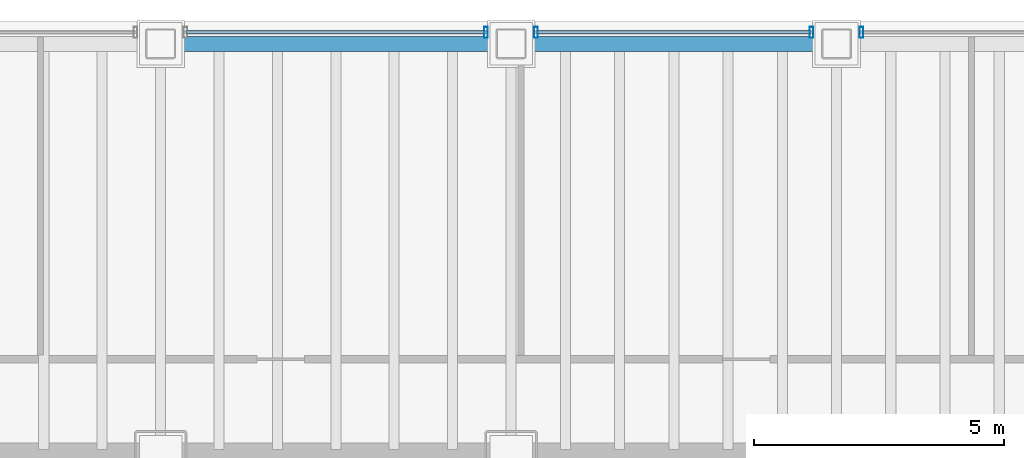
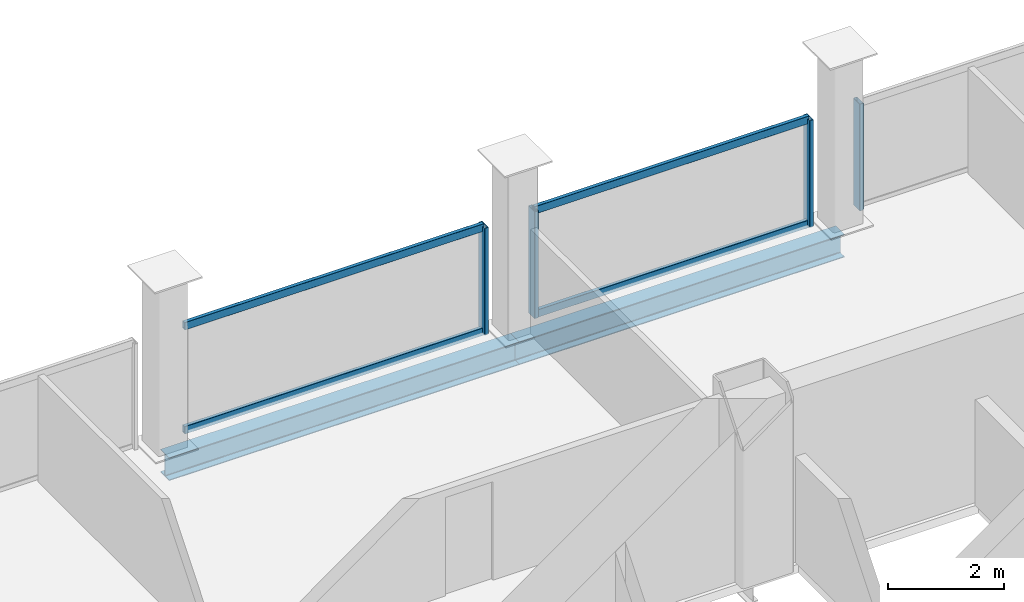
# One storey, part 14 of 21: 8 members, 2 beams, 3 elements without a shape of their own.
"""IFC4 building model written with IfcOpenShell, lengths in metres."""

from ifc_helpers import new_model, si_unit, direction, frame, origin, origin_2d, place, context, subcontext, project, spatial, hollow_rectangle, i_section, extrude, material, material_profile, profile_set, type_object, element, aggregate, save


model = new_model("IFC4")

# Units and contexts
model_context = context("Model", 3, precision=1e-05, world=origin(), true_north=direction((0.0, 1.0)))
body_context = subcontext(model_context, "Body", "Model", "MODEL_VIEW")
ifc_project = project(units=[si_unit("LENGTHUNIT", "METRE"), si_unit("AREAUNIT", "SQUARE_METRE"), si_unit("VOLUMEUNIT", "CUBIC_METRE"), si_unit("PLANEANGLEUNIT", "RADIAN"), si_unit("MASSUNIT", "GRAM", prefix="KILO")], contexts=[model_context])

# Site, building, storey
site_placement = place(None, origin())
site = spatial("IfcSite", under=ifc_project, at=site_placement, CompositionType="ELEMENT")
building_placement = place(site_placement, origin())
building = spatial("IfcBuilding", under=site, at=building_placement, Name="Noeulbin Bourse Tower", CompositionType="ELEMENT")
storey_placement = place(building_placement, frame((0.0, 0.0, 77.199951171875)))
storey = spatial("IfcBuildingStorey", under=building, at=storey_placement, Name="L19", CompositionType="ELEMENT", Elevation=77.199951171875)

# Beams
ifc_material_1 = material(Name="Steel S355", Category="steel")
ifc_material_profile_1 = material_profile(ifc_material_1, i_section(OverallWidth=0.300048828125, OverallDepth=0.488037109375, WebThickness=0.010986328125, FlangeThickness=0.01806640625, FilletRadius=0.02197265625, at=origin_2d()), Name="H-488x300x11x18", Category="LoadBearing")
ifc_profile_set_1 = profile_set([ifc_material_profile_1], Name="Steel S355")
beam_type = type_object("IfcBeamType", Name="BM-SPN-488", PredefinedType="SPANDREL", material=ifc_profile_set_1)
beam_1_placement = place(storey_placement, frame((24.0, 46.550048828125, -0.424072265625), z_axis=(1.0, 0.0, 0.0), x_axis=(0.0, 1.0, 0.0)))
element("IfcBeam", 1, at=beam_1_placement, inside=storey, type_object=beam_type, Name="North Spandrel L19-2", PredefinedType="SPANDREL", context=body_context, shape_type="SweptSolid", body=[
    extrude(i_section(OverallWidth=0.300048828125, OverallDepth=0.488037109375, WebThickness=0.010986328125, FlangeThickness=0.01806640625, FilletRadius=0.02197265625, at=origin_2d()), origin(), (0.0, 0.0, 1.0), 7.0),
])
beam_2_placement = place(storey_placement, frame((31.0, 46.550048828125, -0.424072265625), z_axis=(1.0, 0.0, 0.0), x_axis=(0.0, 1.0, 0.0)))
element("IfcBeam", 2, at=beam_2_placement, inside=storey, type_object=beam_type, Name="North Spandrel L19-3", PredefinedType="SPANDREL", context=body_context, shape_type="SweptSolid", body=[
    extrude(i_section(OverallWidth=0.300048828125, OverallDepth=0.488037109375, WebThickness=0.010986328125, FlangeThickness=0.01806640625, FilletRadius=0.02197265625, at=origin_2d()), origin(), (0.0, 0.0, 1.0), 6.5),
])

# Curtain wall, member
ifc_material_2 = material(Name="Dark Solar-Control Double Glazing", Category="glass")
curtain_wall_type = type_object("IfcCurtainWallType", Name="CW-SYS-2", PredefinedType="NOTDEFINED", material=ifc_material_2)
curtain_wall_1_placement = place(storey_placement, origin())
curtain_wall_1 = element("IfcCurtainWall", 3, at=curtain_wall_1_placement, inside=storey, type_object=curtain_wall_type, Name="Unitised Curtain Wall CW-L19-N-S3", PredefinedType="NOTDEFINED")
ifc_material_3 = material(Name="Anodised Aluminium 6063-T6", Category="aluminium")
ifc_material_profile_2 = material_profile(ifc_material_3, hollow_rectangle(XDim=0.074951171875, YDim=0.219970703125, WallThickness=0.0048828125, InnerFilletRadius=0.00244140625, OuterFilletRadius=0.0048828125, at=origin_2d()), Name="ALU-MULL-75x220x5", Category="LoadBearing")
ifc_profile_set_2 = profile_set([ifc_material_profile_2], Name="Anodised Aluminium 6063-T6")
member_type_1 = type_object("IfcMemberType", Name="CW-SYS-2-MUL", PredefinedType="MULLION", material=ifc_profile_set_2)
member_1_placement = place(storey_placement, frame((30.5, 46.780029296875, -0.02001953125), z_axis=(0.0, 0.0, 1.0), x_axis=(1.0, 0.0, 0.0)))
member_1 = element("IfcMember", 4, at=member_1_placement, type_object=member_type_1, Name="Curtain Wall Mullion CW-L19-N-S3-M01", PredefinedType="MULLION", context=body_context, shape_type="SweptSolid", body=[
    extrude(hollow_rectangle(XDim=0.074951171875, YDim=0.219970703125, WallThickness=0.0048828125, InnerFilletRadius=0.00244140625, OuterFilletRadius=0.0048828125, at=origin_2d()), origin(), (0.0, 0.0, 1.0), 2.260009765625),
])

# Curtain wall, members
curtain_wall_2_placement = place(storey_placement, origin())
curtain_wall_2 = element("IfcCurtainWall", 5, at=curtain_wall_2_placement, inside=storey, type_object=curtain_wall_type, Name="Unitised Curtain Wall CW-L19-N-S4", PredefinedType="NOTDEFINED")
member_2_placement = place(storey_placement, frame((31.5, 46.780029296875, -0.02001953125), z_axis=(0.0, 0.0, 1.0), x_axis=(1.0, 0.0, 0.0)))
member_2 = element("IfcMember", 6, at=member_2_placement, type_object=member_type_1, Name="Curtain Wall Mullion CW-L19-N-S4-M00", PredefinedType="MULLION", context=body_context, shape_type="SweptSolid", body=[
    extrude(hollow_rectangle(XDim=0.074951171875, YDim=0.219970703125, WallThickness=0.0048828125, InnerFilletRadius=0.00244140625, OuterFilletRadius=0.0048828125, at=origin_2d()), origin(), (0.0, 0.0, 1.0), 2.260009765625),
])
member_3_placement = place(storey_placement, frame((37.0, 46.780029296875, -0.02001953125), z_axis=(0.0, 0.0, 1.0), x_axis=(1.0, 0.0, 0.0)))
member_3 = element("IfcMember", 7, at=member_3_placement, type_object=member_type_1, Name="Curtain Wall Mullion CW-L19-N-S4-M01", PredefinedType="MULLION", context=body_context, shape_type="SweptSolid", body=[
    extrude(hollow_rectangle(XDim=0.074951171875, YDim=0.219970703125, WallThickness=0.0048828125, InnerFilletRadius=0.00244140625, OuterFilletRadius=0.0048828125, at=origin_2d()), origin(), (0.0, 0.0, 1.0), 2.260009765625),
])

# Curtain wall, member
curtain_wall_3_placement = place(storey_placement, origin())
curtain_wall_3 = element("IfcCurtainWall", 8, at=curtain_wall_3_placement, inside=storey, type_object=curtain_wall_type, Name="Unitised Curtain Wall CW-L19-N-S5", PredefinedType="NOTDEFINED")
member_4_placement = place(storey_placement, frame((38.0, 46.780029296875, -0.02001953125), z_axis=(0.0, 0.0, 1.0), x_axis=(1.0, 0.0, 0.0)))
member_4 = element("IfcMember", 9, at=member_4_placement, type_object=member_type_1, Name="Curtain Wall Mullion CW-L19-N-S5-M00", PredefinedType="MULLION", context=body_context, shape_type="SweptSolid", body=[
    extrude(hollow_rectangle(XDim=0.074951171875, YDim=0.219970703125, WallThickness=0.0048828125, InnerFilletRadius=0.00244140625, OuterFilletRadius=0.0048828125, at=origin_2d()), origin(), (0.0, 0.0, 1.0), 2.260009765625),
])
aggregate(curtain_wall_3, [member_4])

# Member
ifc_material_profile_3 = material_profile(ifc_material_3, hollow_rectangle(XDim=0.074951171875, YDim=0.159912109375, WallThickness=0.0048828125, InnerFilletRadius=0.00244140625, OuterFilletRadius=0.0048828125, at=origin_2d()), Name="ALU-TRAN-75x160x5", Category="LoadBearing")
ifc_profile_set_3 = profile_set([ifc_material_profile_3], Name="Anodised Aluminium 6063-T6")
member_type_2 = type_object("IfcMemberType", Name="CW-SYS-2-TRN", PredefinedType="USERDEFINED", material=ifc_profile_set_3)
member_5_placement = place(storey_placement, frame((24.510009765625, 46.780029296875, 0.010009765625), z_axis=(1.0, 0.0, 0.0), x_axis=(0.0, 1.0, 0.0)))
member_5 = element("IfcMember", 10, at=member_5_placement, type_object=member_type_2, Name="Curtain Wall Transom CW-L19-N-S3-T00", ObjectType="TRANSOM", PredefinedType="USERDEFINED", context=body_context, shape_type="SweptSolid", body=[
    extrude(hollow_rectangle(XDim=0.074951171875, YDim=0.159912109375, WallThickness=0.0048828125, InnerFilletRadius=0.00244140625, OuterFilletRadius=0.0048828125, at=origin_2d()), origin(), (0.0, 0.0, 1.0), 5.97998046875),
])

member_6_placement = place(storey_placement, frame((24.510009765625, 46.780029296875, 2.2099609375), z_axis=(1.0, 0.0, 0.0), x_axis=(0.0, 1.0, 0.0)))
member_6 = element("IfcMember", 11, at=member_6_placement, type_object=member_type_2, Name="Curtain Wall Transom CW-L19-N-S3-T01", ObjectType="TRANSOM", PredefinedType="USERDEFINED", context=body_context, shape_type="SweptSolid", body=[
    extrude(hollow_rectangle(XDim=0.074951171875, YDim=0.159912109375, WallThickness=0.0048828125, InnerFilletRadius=0.00244140625, OuterFilletRadius=0.0048828125, at=origin_2d()), origin(), (0.0, 0.0, 1.0), 5.97998046875),
])

aggregate(curtain_wall_1, [member_1, member_5, member_6])

member_7_placement = place(storey_placement, frame((31.510009765625, 46.780029296875, 0.010009765625), z_axis=(1.0, 0.0, 0.0), x_axis=(0.0, 1.0, 0.0)))
member_7 = element("IfcMember", 12, at=member_7_placement, type_object=member_type_2, Name="Curtain Wall Transom CW-L19-N-S4-T00", ObjectType="TRANSOM", PredefinedType="USERDEFINED", context=body_context, shape_type="SweptSolid", body=[
    extrude(hollow_rectangle(XDim=0.074951171875, YDim=0.159912109375, WallThickness=0.0048828125, InnerFilletRadius=0.00244140625, OuterFilletRadius=0.0048828125, at=origin_2d()), origin(), (0.0, 0.0, 1.0), 5.47998046875),
])

member_8_placement = place(storey_placement, frame((31.510009765625, 46.780029296875, 2.2099609375), z_axis=(1.0, 0.0, 0.0), x_axis=(0.0, 1.0, 0.0)))
member_8 = element("IfcMember", 13, at=member_8_placement, type_object=member_type_2, Name="Curtain Wall Transom CW-L19-N-S4-T01", ObjectType="TRANSOM", PredefinedType="USERDEFINED", context=body_context, shape_type="SweptSolid", body=[
    extrude(hollow_rectangle(XDim=0.074951171875, YDim=0.159912109375, WallThickness=0.0048828125, InnerFilletRadius=0.00244140625, OuterFilletRadius=0.0048828125, at=origin_2d()), origin(), (0.0, 0.0, 1.0), 5.47998046875),
])

aggregate(curtain_wall_2, [member_2, member_3, member_7, member_8])

save(model, "model.ifc")
